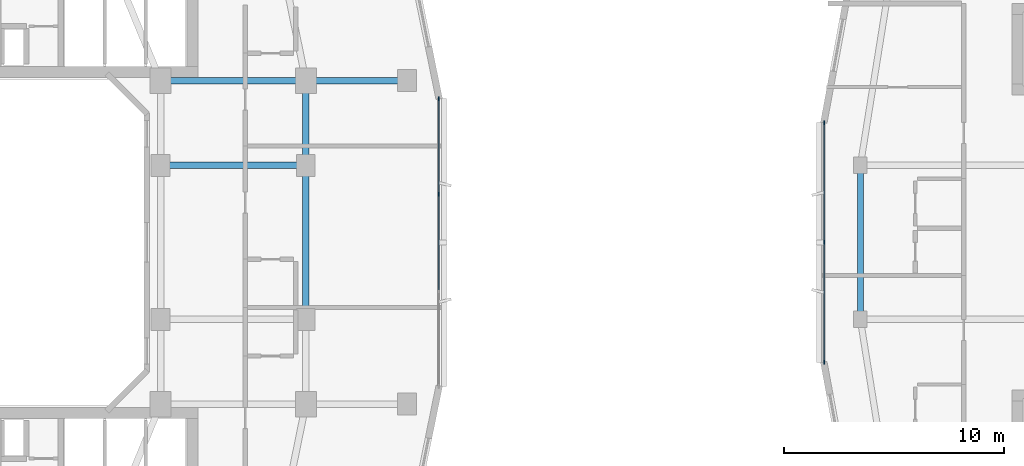
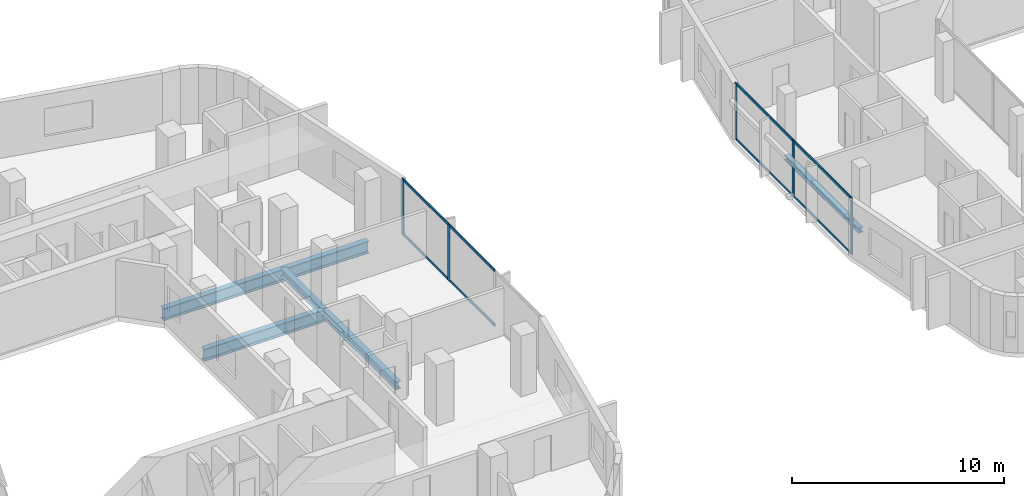
# One storey, part 4 of 24: 13 members, 6 beams, 2 elements without a shape of their own.
"""IFC4 building model written with IfcOpenShell, lengths in metres."""

from ifc_helpers import new_model, si_unit, derived_unit, direction, frame, origin, origin_2d, place, context, subcontext, project, spatial, rectangle, i_section, extrude, material, layer, layer_set, material_profile, profile_set, type_object, element, aggregate, save


model = new_model("IFC4")

# Units and contexts
model_context = context("Model", 3, precision=1e-05, world=origin(), true_north=direction((0.0, 1.0)))
body_context = subcontext(model_context, "Body", "Model", "MODEL_VIEW")
ifc_project = project(units=[si_unit("LENGTHUNIT", "METRE"), si_unit("AREAUNIT", "SQUARE_METRE"), si_unit("VOLUMEUNIT", "CUBIC_METRE"), si_unit("PLANEANGLEUNIT", "RADIAN"), si_unit("MASSUNIT", "GRAM", prefix="KILO"), derived_unit("THERMALTRANSMITTANCEUNIT", [(si_unit("POWERUNIT", "WATT"), 1), (si_unit("LENGTHUNIT", "METRE"), -2), (si_unit("THERMODYNAMICTEMPERATUREUNIT", "KELVIN"), -1)])], contexts=[model_context])

# Site, building, storey
site_placement = place(None, origin())
site = spatial("IfcSite", under=ifc_project, at=site_placement, CompositionType="ELEMENT")
building_placement = place(site_placement, origin())
building = spatial("IfcBuilding", under=site, at=building_placement, Name="Kivonza Crest Hotel", CompositionType="ELEMENT")
storey_placement = place(building_placement, frame((0.0, 0.0, 80.0)))
storey = spatial("IfcBuildingStorey", under=building, at=storey_placement, Name="L21", CompositionType="ELEMENT", Elevation=80.0)

# Beams
ifc_material_1 = material(Name="Steel S355", Category="steel")
ifc_material_profile_1 = material_profile(ifc_material_1, i_section(OverallWidth=0.280029296875, OverallDepth=0.280029296875, WebThickness=0.010498046875, FlangeThickness=0.01806640625, FilletRadius=0.02392578125, at=origin_2d()), Name="HEB 280")
ifc_profile_set_1 = profile_set([ifc_material_profile_1], Name="Steel S355")
beam_type_1 = type_object("IfcBeamType", Name="BM-HEB280", PredefinedType="SPANDREL", material=ifc_profile_set_1)
beam_1_placement = place(storey_placement, frame((61.0, 28.5, -0.389892578125), z_axis=(0.0, -1.0, 0.0), x_axis=(1.0, 0.0, 0.0)))
element("IfcBeam", 1, at=beam_1_placement, inside=storey, type_object=beam_type_1, Name="Companion Tower T2 L21 perimeter spandrel W2-W1", PredefinedType="SPANDREL", context=body_context, shape_type="SweptSolid", body=[
    extrude(i_section(OverallWidth=0.280029296875, OverallDepth=0.280029296875, WebThickness=0.010498046875, FlangeThickness=0.01806640625, FilletRadius=0.02392578125, at=origin_2d()), origin(), (0.0, 0.0, 1.0), 7.0),
])
ifc_material_profile_2 = material_profile(ifc_material_1, i_section(OverallWidth=0.300048828125, OverallDepth=0.449951171875, WebThickness=0.013916015625, FlangeThickness=0.02587890625, FilletRadius=0.027099609375, at=origin_2d()), Name="HEB 450")
ifc_profile_set_2 = profile_set([ifc_material_profile_2], Name="Steel S355")
beam_type_2 = type_object("IfcBeamType", Name="BM-HEB450", PredefinedType="SPANDREL", material=ifc_profile_set_2)
beam_2_placement = place(storey_placement, frame((35.800048828125, 21.5, -0.5048828125), z_axis=(0.0, 1.0, 0.0), x_axis=(-1.0, 0.0, 0.0)))
element("IfcBeam", 2, at=beam_2_placement, inside=storey, type_object=beam_type_2, Name="Tower T1 L21 perimeter spandrel E1-E2", PredefinedType="SPANDREL", context=body_context, shape_type="SweptSolid", body=[
    extrude(i_section(OverallWidth=0.300048828125, OverallDepth=0.449951171875, WebThickness=0.013916015625, FlangeThickness=0.02587890625, FilletRadius=0.027099609375, at=origin_2d()), origin(), (0.0, 0.0, 1.0), 7.0),
])
beam_3_placement = place(storey_placement, frame((35.800048828125, 28.5, -0.5048828125), z_axis=(0.0, 1.0, 0.0), x_axis=(-1.0, 0.0, 0.0)))
element("IfcBeam", 3, at=beam_3_placement, inside=storey, type_object=beam_type_2, Name="Tower T1 L21 perimeter spandrel E2-PNE", PredefinedType="SPANDREL", context=body_context, shape_type="SweptSolid", body=[
    extrude(i_section(OverallWidth=0.300048828125, OverallDepth=0.449951171875, WebThickness=0.013916015625, FlangeThickness=0.02587890625, FilletRadius=0.027099609375, at=origin_2d()), origin(), (0.0, 0.0, 1.0), 3.85009765625),
])
ifc_material_profile_3 = material_profile(ifc_material_1, i_section(OverallWidth=0.300048828125, OverallDepth=0.699951171875, WebThickness=0.01708984375, FlangeThickness=0.031982421875, FilletRadius=0.027099609375, at=origin_2d()), Name="HEB 700")
ifc_profile_set_3 = profile_set([ifc_material_profile_3], Name="Steel S355")
beam_type_3 = type_object("IfcBeamType", Name="BM-HEB700", PredefinedType="BEAM", material=ifc_profile_set_3)
for number, where, z_axis, x_axis, name in (
    (4, (29.199951171875, 32.35009765625, -0.6298828125), (1.0, 0.0, 0.0), (0.0, 1.0, 0.0), "Tower T1 L21 primary girder TNE-PNE"),
    (5, (29.199951171875, 28.5, -0.6298828125), (1.0, 0.0, 0.0), (0.0, 1.0, 0.0), "Tower T1 L21 primary girder WR2-E2"),
):
    element("IfcBeam", number, at=place(storey_placement, frame(where, z_axis=z_axis, x_axis=x_axis)), inside=storey, type_object=beam_type_3, Name=name, PredefinedType="BEAM", context=body_context, shape_type="SweptSolid", body=[
        extrude(i_section(OverallWidth=0.300048828125, OverallDepth=0.699951171875, WebThickness=0.01708984375, FlangeThickness=0.031982421875, FilletRadius=0.027099609375, at=origin_2d()), origin(), (0.0, 0.0, 1.0), 6.60009765625),
    ])
beam_4_placement = place(storey_placement, frame((40.39990234375, 32.35009765625, -0.6298828125), z_axis=(-1.0, 0.0, 0.0), x_axis=(0.0, -1.0, 0.0)))
element("IfcBeam", 6, at=beam_4_placement, inside=storey, type_object=beam_type_3, Name="Tower T1 L21 outer bay girder ZE2", PredefinedType="BEAM", context=body_context, shape_type="SweptSolid", body=[
    extrude(i_section(OverallWidth=0.300048828125, OverallDepth=0.699951171875, WebThickness=0.01708984375, FlangeThickness=0.031982421875, FilletRadius=0.027099609375, at=origin_2d()), origin(), (0.0, 0.0, 1.0), 4.599853515625),
])

# Curtain wall, members
ifc_material_2 = material(Name="Anodised bronze aluminium and low-E double glazing", Category="aluminium")
ifc_layer_1 = layer(ifc_material_2, 0.179931640625)
ifc_layer_set_1 = layer_set([ifc_layer_1], Name="Anodised bronze aluminium and low-E double glazing")
curtain_wall_type_1 = type_object("IfcCurtainWallType", Name="CW-SYS-2", PredefinedType="NOTDEFINED", material=ifc_layer_set_1)
curtain_wall_1_placement = place(storey_placement, origin())
curtain_wall_1 = element("IfcCurtainWall", 7, at=curtain_wall_1_placement, inside=storey, type_object=curtain_wall_type_1, Name="L21 unitised curtain wall CW-T1-L21-17", PredefinedType="NOTDEFINED")
ifc_material_3 = material(Name="Anodised bronze aluminium", Category="aluminium")
ifc_material_profile_4 = material_profile(ifc_material_3, rectangle(XDim=0.06494140625, YDim=0.179931640625, at=origin_2d()), Name="CW-M 65x180")
ifc_profile_set_4 = profile_set([ifc_material_profile_4], Name="Anodised bronze aluminium")
member_type_1 = type_object("IfcMemberType", Name="CW-MUL-65x180", PredefinedType="MULLION", material=ifc_profile_set_4)
member_1_placement = place(storey_placement, frame((41.840087890625, 27.186767578125, 0.0), z_axis=(0.0, 0.0, 1.0), x_axis=(-1.0, 0.0, 0.0)))
member_1 = element("IfcMember", 8, at=member_1_placement, type_object=member_type_1, Name="CW-2 mullion 3", PredefinedType="MULLION", context=body_context, shape_type="SweptSolid", body=[
    extrude(rectangle(XDim=0.06494140625, YDim=0.179931640625, at=origin_2d()), origin(), (0.0, 0.0, 1.0), 3.219970703125),
])
member_2_placement = place(storey_placement, frame((41.840087890625, 31.527587890625, 0.0), z_axis=(0.0, 0.0, 1.0), x_axis=(-1.0, 0.0, 0.0)))
member_2 = element("IfcMember", 9, at=member_2_placement, type_object=member_type_1, Name="CW-2 mullion 4", PredefinedType="MULLION", context=body_context, shape_type="SweptSolid", body=[
    extrude(rectangle(XDim=0.06494140625, YDim=0.179931640625, at=origin_2d()), origin(), (0.0, 0.0, 1.0), 3.219970703125),
])

ifc_layer_2 = layer(ifc_material_2, 0.179931640625)
ifc_layer_set_2 = layer_set([ifc_layer_2], Name="Anodised bronze aluminium and low-E double glazing")
curtain_wall_type_2 = type_object("IfcCurtainWallType", Name="CW-SYS-4", PredefinedType="NOTDEFINED", material=ifc_layer_set_2)
curtain_wall_2_placement = place(storey_placement, origin())
curtain_wall_2 = element("IfcCurtainWall", 10, at=curtain_wall_2_placement, inside=storey, type_object=curtain_wall_type_2, Name="L21 unitised curtain wall CW-T2-L21-35", PredefinedType="NOTDEFINED")
member_3_placement = place(storey_placement, frame((59.360107421875, 30.447509765625, 0.0), z_axis=(0.0, 0.0, 1.0), x_axis=(1.0, 0.0, 0.0)))
member_3 = element("IfcMember", 11, at=member_3_placement, type_object=member_type_1, Name="CW-4 mullion 1", PredefinedType="MULLION", context=body_context, shape_type="SweptSolid", body=[
    extrude(rectangle(XDim=0.06494140625, YDim=0.179931640625, at=origin_2d()), origin(), (0.0, 0.0, 1.0), 3.25),
])
member_4_placement = place(storey_placement, frame((59.360107421875, 25.0, 0.0), z_axis=(0.0, 0.0, 1.0), x_axis=(1.0, 0.0, 0.0)))
member_4 = element("IfcMember", 12, at=member_4_placement, type_object=member_type_1, Name="CW-4 mullion 2", PredefinedType="MULLION", context=body_context, shape_type="SweptSolid", body=[
    extrude(rectangle(XDim=0.06494140625, YDim=0.179931640625, at=origin_2d()), origin(), (0.0, 0.0, 1.0), 3.25),
])
member_5_placement = place(storey_placement, frame((59.360107421875, 19.552490234375, 0.0), z_axis=(0.0, 0.0, 1.0), x_axis=(1.0, 0.0, 0.0)))
member_5 = element("IfcMember", 13, at=member_5_placement, type_object=member_type_1, Name="CW-4 mullion 3", PredefinedType="MULLION", context=body_context, shape_type="SweptSolid", body=[
    extrude(rectangle(XDim=0.06494140625, YDim=0.179931640625, at=origin_2d()), origin(), (0.0, 0.0, 1.0), 3.25),
])

# Member
ifc_material_profile_5 = material_profile(ifc_material_3, rectangle(XDim=0.06494140625, YDim=0.139892578125, at=origin_2d()), Name="CW-T 65x140")
ifc_profile_set_5 = profile_set([ifc_material_profile_5], Name="Anodised bronze aluminium")
member_type_2 = type_object("IfcMemberType", Name="CW-TRN-65x140", PredefinedType="USERDEFINED", material=ifc_profile_set_5)
member_6_placement = place(storey_placement, frame((41.840087890625, 22.845947265625, 0.032470703125), z_axis=(0.0, 1.0, 0.0), x_axis=(-1.0, 0.0, 0.0)))
member_6 = element("IfcMember", 14, at=member_6_placement, type_object=member_type_2, Name="CW-2 transom 2.1", ObjectType="TRANSOM", PredefinedType="USERDEFINED", context=body_context, shape_type="SweptSolid", body=[
    extrude(rectangle(XDim=0.06494140625, YDim=0.139892578125, at=origin_2d()), origin(), (0.0, 0.0, 1.0), 4.30810546875),
])

member_7_placement = place(storey_placement, frame((41.840087890625, 22.845947265625, 3.1875), z_axis=(0.0, 1.0, 0.0), x_axis=(-1.0, 0.0, 0.0)))
member_7 = element("IfcMember", 15, at=member_7_placement, type_object=member_type_2, Name="CW-2 transom 2.2", ObjectType="TRANSOM", PredefinedType="USERDEFINED", context=body_context, shape_type="SweptSolid", body=[
    extrude(rectangle(XDim=0.06494140625, YDim=0.139892578125, at=origin_2d()), origin(), (0.0, 0.0, 1.0), 4.30810546875),
])

member_8_placement = place(storey_placement, frame((41.840087890625, 27.21923828125, 0.032470703125), z_axis=(0.0, 1.0, 0.0), x_axis=(-1.0, 0.0, 0.0)))
member_8 = element("IfcMember", 16, at=member_8_placement, type_object=member_type_2, Name="CW-2 transom 3.1", ObjectType="TRANSOM", PredefinedType="USERDEFINED", context=body_context, shape_type="SweptSolid", body=[
    extrude(rectangle(XDim=0.06494140625, YDim=0.139892578125, at=origin_2d()), origin(), (0.0, 0.0, 1.0), 4.27587890625),
])

member_9_placement = place(storey_placement, frame((41.840087890625, 27.21923828125, 3.1875), z_axis=(0.0, 1.0, 0.0), x_axis=(-1.0, 0.0, 0.0)))
member_9 = element("IfcMember", 17, at=member_9_placement, type_object=member_type_2, Name="CW-2 transom 3.2", ObjectType="TRANSOM", PredefinedType="USERDEFINED", context=body_context, shape_type="SweptSolid", body=[
    extrude(rectangle(XDim=0.06494140625, YDim=0.139892578125, at=origin_2d()), origin(), (0.0, 0.0, 1.0), 4.27587890625),
])

aggregate(curtain_wall_1, [member_1, member_2, member_6, member_7, member_8, member_9])

member_10_placement = place(storey_placement, frame((59.360107421875, 30.4150390625, 0.032470703125), z_axis=(0.0, -1.0, 0.0), x_axis=(1.0, 0.0, 0.0)))
member_10 = element("IfcMember", 18, at=member_10_placement, type_object=member_type_2, Name="CW-4 transom 1.1", ObjectType="TRANSOM", PredefinedType="USERDEFINED", context=body_context, shape_type="SweptSolid", body=[
    extrude(rectangle(XDim=0.06494140625, YDim=0.139892578125, at=origin_2d()), origin(), (0.0, 0.0, 1.0), 5.382568359375),
])

member_11_placement = place(storey_placement, frame((59.360107421875, 30.4150390625, 3.217529296875), z_axis=(0.0, -1.0, 0.0), x_axis=(1.0, 0.0, 0.0)))
member_11 = element("IfcMember", 19, at=member_11_placement, type_object=member_type_2, Name="CW-4 transom 1.2", ObjectType="TRANSOM", PredefinedType="USERDEFINED", context=body_context, shape_type="SweptSolid", body=[
    extrude(rectangle(XDim=0.06494140625, YDim=0.139892578125, at=origin_2d()), origin(), (0.0, 0.0, 1.0), 5.382568359375),
])

member_12_placement = place(storey_placement, frame((59.360107421875, 24.967529296875, 0.032470703125), z_axis=(0.0, -1.0, 0.0), x_axis=(1.0, 0.0, 0.0)))
member_12 = element("IfcMember", 20, at=member_12_placement, type_object=member_type_2, Name="CW-4 transom 2.1", ObjectType="TRANSOM", PredefinedType="USERDEFINED", context=body_context, shape_type="SweptSolid", body=[
    extrude(rectangle(XDim=0.06494140625, YDim=0.139892578125, at=origin_2d()), origin(), (0.0, 0.0, 1.0), 5.382568359375),
])

member_13_placement = place(storey_placement, frame((59.360107421875, 24.967529296875, 3.217529296875), z_axis=(0.0, -1.0, 0.0), x_axis=(1.0, 0.0, 0.0)))
member_13 = element("IfcMember", 21, at=member_13_placement, type_object=member_type_2, Name="CW-4 transom 2.2", ObjectType="TRANSOM", PredefinedType="USERDEFINED", context=body_context, shape_type="SweptSolid", body=[
    extrude(rectangle(XDim=0.06494140625, YDim=0.139892578125, at=origin_2d()), origin(), (0.0, 0.0, 1.0), 5.382568359375),
])

aggregate(curtain_wall_2, [member_3, member_4, member_5, member_10, member_11, member_12, member_13])

save(model, "model.ifc")
